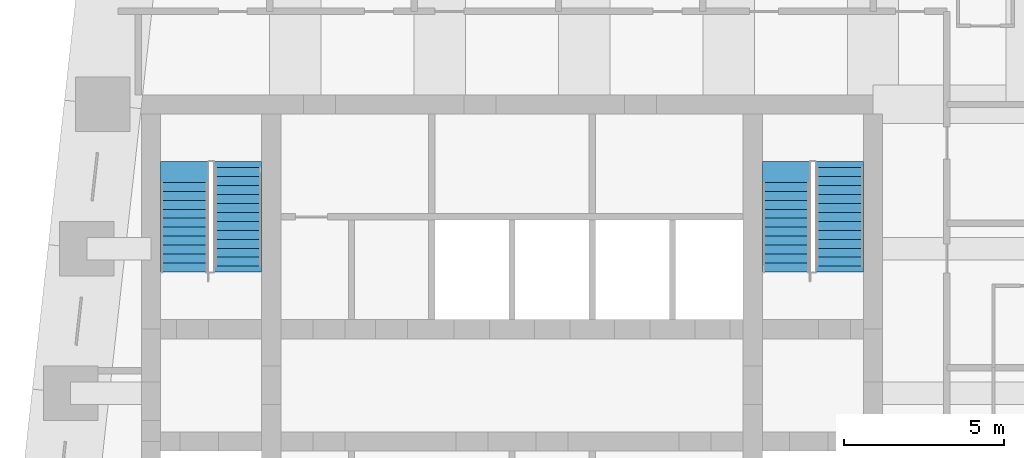
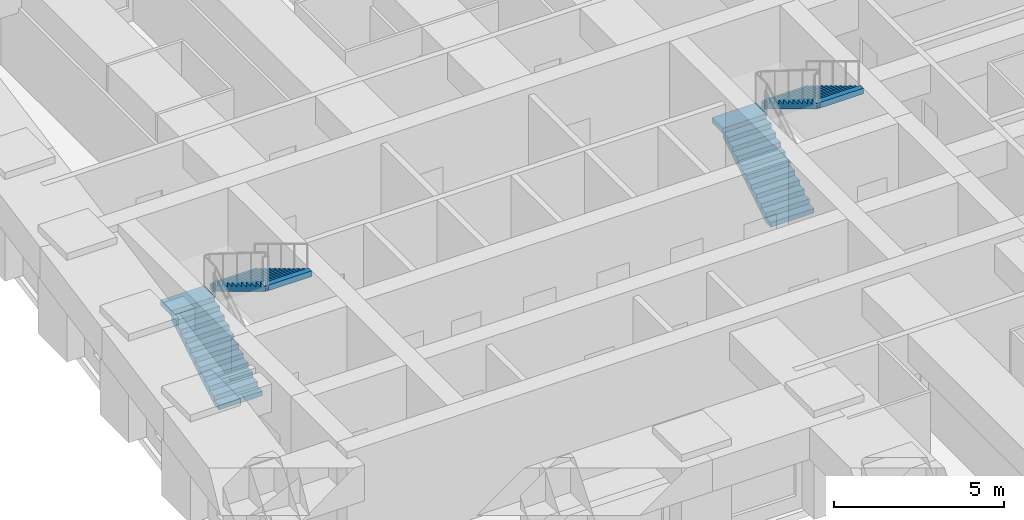
# One storey, part 6 of 7: 4 stair flights, 2 elements without a shape of their own.
"""IFC4 building model written with IfcOpenShell, lengths in metres."""

from ifc_helpers import new_model, si_unit, direction, frame, origin, place, context, subcontext, project, spatial, polyline, outline, extrude, material, type_object, element, aggregate, save


model = new_model("IFC4")

# Units and contexts
model_context = context("Model", 3, precision=1e-05, world=origin(), true_north=direction((0.0, 1.0)))
body_context = subcontext(model_context, "Body", "Model", "MODEL_VIEW")
ifc_project = project(units=[si_unit("LENGTHUNIT", "METRE"), si_unit("AREAUNIT", "SQUARE_METRE"), si_unit("VOLUMEUNIT", "CUBIC_METRE"), si_unit("PLANEANGLEUNIT", "RADIAN"), si_unit("MASSUNIT", "GRAM", prefix="KILO")], contexts=[model_context])

# Site, building, storey
site_placement = place(None, origin())
site = spatial("IfcSite", under=ifc_project, at=site_placement, CompositionType="ELEMENT")
building_placement = place(site_placement, origin())
building = spatial("IfcBuilding", under=site, at=building_placement, Name="Kilele Tower Hotel", CompositionType="ELEMENT")
storey_placement = place(building_placement, frame((0.0, 0.0, 221.300048828125)))
storey = spatial("IfcBuildingStorey", under=building, at=storey_placement, Name="L57", CompositionType="ELEMENT", Elevation=221.300048828125)

# Stair, stair flights
ifc_material_1 = material(Name="Precast concrete C40/50", Category="concrete")
stair_type = type_object("IfcStairType", Name="Stair 1475 x 3900", PredefinedType="HALF_TURN_STAIR", material=ifc_material_1)
stair_1_placement = place(storey_placement, origin())
stair_1 = element("IfcStair", 1, at=stair_1_placement, inside=storey, type_object=stair_type, Name="Stair 1 L57", PredefinedType="HALF_TURN_STAIR")
ifc_material_2 = material(Name="Precast concrete C40/50", Category="concrete")
stair_flight_type = type_object("IfcStairFlightType", Name="Flight 1475 riser 169.6", PredefinedType="STRAIGHT", material=ifc_material_2)
stair_flight_1_placement = place(storey_placement, frame((14.53759765625, 21.77490234375, 0.0), z_axis=(0.0, 0.0, 1.0), x_axis=(0.0, 1.0, 0.0)))
stair_flight_1 = element("IfcStairFlight", 2, at=stair_flight_1_placement, type_object=stair_flight_type, Name="ST1 flight 1", NumberOfRisers=11, NumberOfTreads=10, PredefinedType="STRAIGHT", RiserHeight=0.169565217, TreadLength=0.28, context=body_context, shape_type="SweptSolid", body=[
    extrude(outline(polyline([(0.0, 0.0), (0.0, 0.169677734375), (0.280029296875, 0.169677734375), (0.280029296875, 0.339111328125), (0.56005859375, 0.339111328125), (0.56005859375, 0.5087890625), (0.840087890625, 0.5087890625), (0.840087890625, 0.67822265625), (1.1201171875, 0.67822265625), (1.1201171875, 0.847900390625), (1.39990234375, 0.847900390625), (1.39990234375, 1.017333984375), (1.679931640625, 1.017333984375), (1.679931640625, 1.18701171875), (1.9599609375, 1.18701171875), (1.9599609375, 1.3564453125), (2.239990234375, 1.3564453125), (2.239990234375, 1.526123046875), (2.52001953125, 1.526123046875), (2.52001953125, 1.695556640625), (2.800048828125, 1.695556640625), (2.800048828125, 1.865234375), (2.800048828125, 1.5205078125), (0.289306640625, 0.0), (0.0, 0.0)])), frame((0.0, 0.737548828125, 0.0), z_axis=(0.0, -1.0, 0.0), x_axis=(1.0, 0.0, 0.0)), (0.0, 0.0, 1.0), 1.47509765625),
    extrude(outline(polyline([(2.800048828125, 0.737548828125), (2.800048828125, -0.7373046875), (3.4501953125, -0.7373046875), (3.4501953125, 0.737548828125), (2.800048828125, 0.737548828125)])), frame((0.0, 0.0, 1.6650390625)), (0.0, 0.0, 1.0), 0.199951171875),
])
stair_flight_2_placement = place(storey_placement, frame((16.21240234375, 25.0400390625, 1.865234375), z_axis=(0.0, 0.0, 1.0), x_axis=(0.0, -1.0, 0.0)))
stair_flight_2 = element("IfcStairFlight", 3, at=stair_flight_2_placement, type_object=stair_flight_type, Name="ST1 flight 2", NumberOfRisers=12, NumberOfTreads=11, PredefinedType="STRAIGHT", RiserHeight=0.169565217, TreadLength=0.28, context=body_context, shape_type="SweptSolid", body=[
    extrude(outline(polyline([(0.0, 0.0), (0.0, 0.169677734375), (0.280029296875, 0.169677734375), (0.280029296875, 0.339111328125), (0.56005859375, 0.339111328125), (0.56005859375, 0.5087890625), (0.840087890625, 0.5087890625), (0.840087890625, 0.67822265625), (1.1201171875, 0.67822265625), (1.1201171875, 0.847900390625), (1.39990234375, 0.847900390625), (1.39990234375, 1.017333984375), (1.679931640625, 1.017333984375), (1.679931640625, 1.18701171875), (1.9599609375, 1.18701171875), (1.9599609375, 1.3564453125), (2.239990234375, 1.3564453125), (2.239990234375, 1.526123046875), (2.52001953125, 1.526123046875), (2.52001953125, 1.695556640625), (2.800048828125, 1.695556640625), (2.800048828125, 1.865234375), (3.080078125, 1.865234375), (3.080078125, 2.03466796875), (3.080078125, 1.68994140625), (0.289306640625, 0.0), (0.0, 0.0)])), frame((0.0, 0.737548828125, 0.0), z_axis=(0.0, -1.0, 0.0), x_axis=(1.0, 0.0, 0.0)), (0.0, 0.0, 1.0), 1.47509765625),
    extrude(outline(polyline([(0.0, -0.7373046875), (0.0, 0.737548828125), (-0.18505859375, 0.737548828125), (-0.18505859375, -0.7373046875), (0.0, -0.7373046875)])), frame((0.0, 0.0, -0.2001953125)), (0.0, 0.0, 1.0), 0.199951171875),
    extrude(outline(polyline([(3.26513671875, -0.7373046875), (3.26513671875, 0.737548828125), (3.080078125, 0.737548828125), (3.080078125, -0.7373046875), (3.26513671875, -0.7373046875)])), frame((0.0, 0.0, 1.834716796875)), (0.0, 0.0, 1.0), 0.199951171875),
])
aggregate(stair_1, [stair_flight_1, stair_flight_2])

stair_2_placement = place(storey_placement, origin())
stair_2 = element("IfcStair", 4, at=stair_2_placement, inside=storey, type_object=stair_type, Name="Stair 2 L57", PredefinedType="HALF_TURN_STAIR")
stair_flight_3_placement = place(storey_placement, frame((33.28759765625, 21.77490234375, 0.0), z_axis=(0.0, 0.0, 1.0), x_axis=(0.0, 1.0, 0.0)))
stair_flight_3 = element("IfcStairFlight", 5, at=stair_flight_3_placement, type_object=stair_flight_type, Name="ST2 flight 1", NumberOfRisers=11, NumberOfTreads=10, PredefinedType="STRAIGHT", RiserHeight=0.169565217, TreadLength=0.28, context=body_context, shape_type="SweptSolid", body=[
    extrude(outline(polyline([(0.0, 0.0), (0.0, 0.169677734375), (0.280029296875, 0.169677734375), (0.280029296875, 0.339111328125), (0.56005859375, 0.339111328125), (0.56005859375, 0.5087890625), (0.840087890625, 0.5087890625), (0.840087890625, 0.67822265625), (1.1201171875, 0.67822265625), (1.1201171875, 0.847900390625), (1.39990234375, 0.847900390625), (1.39990234375, 1.017333984375), (1.679931640625, 1.017333984375), (1.679931640625, 1.18701171875), (1.9599609375, 1.18701171875), (1.9599609375, 1.3564453125), (2.239990234375, 1.3564453125), (2.239990234375, 1.526123046875), (2.52001953125, 1.526123046875), (2.52001953125, 1.695556640625), (2.800048828125, 1.695556640625), (2.800048828125, 1.865234375), (2.800048828125, 1.5205078125), (0.289306640625, 0.0), (0.0, 0.0)])), frame((0.0, 0.737548828125, 0.0), z_axis=(0.0, -1.0, 0.0), x_axis=(1.0, 0.0, 0.0)), (0.0, 0.0, 1.0), 1.47509765625),
    extrude(outline(polyline([(2.800048828125, 0.737548828125), (2.800048828125, -0.7373046875), (3.4501953125, -0.7373046875), (3.4501953125, 0.737548828125), (2.800048828125, 0.737548828125)])), frame((0.0, 0.0, 1.6650390625)), (0.0, 0.0, 1.0), 0.199951171875),
])
stair_flight_4_placement = place(storey_placement, frame((34.96240234375, 25.0400390625, 1.865234375), z_axis=(0.0, 0.0, 1.0), x_axis=(0.0, -1.0, 0.0)))
stair_flight_4 = element("IfcStairFlight", 6, at=stair_flight_4_placement, type_object=stair_flight_type, Name="ST2 flight 2", NumberOfRisers=12, NumberOfTreads=11, PredefinedType="STRAIGHT", RiserHeight=0.169565217, TreadLength=0.28, context=body_context, shape_type="SweptSolid", body=[
    extrude(outline(polyline([(0.0, 0.0), (0.0, 0.169677734375), (0.280029296875, 0.169677734375), (0.280029296875, 0.339111328125), (0.56005859375, 0.339111328125), (0.56005859375, 0.5087890625), (0.840087890625, 0.5087890625), (0.840087890625, 0.67822265625), (1.1201171875, 0.67822265625), (1.1201171875, 0.847900390625), (1.39990234375, 0.847900390625), (1.39990234375, 1.017333984375), (1.679931640625, 1.017333984375), (1.679931640625, 1.18701171875), (1.9599609375, 1.18701171875), (1.9599609375, 1.3564453125), (2.239990234375, 1.3564453125), (2.239990234375, 1.526123046875), (2.52001953125, 1.526123046875), (2.52001953125, 1.695556640625), (2.800048828125, 1.695556640625), (2.800048828125, 1.865234375), (3.080078125, 1.865234375), (3.080078125, 2.03466796875), (3.080078125, 1.68994140625), (0.289306640625, 0.0), (0.0, 0.0)])), frame((0.0, 0.737548828125, 0.0), z_axis=(0.0, -1.0, 0.0), x_axis=(1.0, 0.0, 0.0)), (0.0, 0.0, 1.0), 1.47509765625),
    extrude(outline(polyline([(0.0, -0.7373046875), (0.0, 0.737548828125), (-0.18505859375, 0.737548828125), (-0.18505859375, -0.7373046875), (0.0, -0.7373046875)])), frame((0.0, 0.0, -0.2001953125)), (0.0, 0.0, 1.0), 0.199951171875),
    extrude(outline(polyline([(3.26513671875, -0.7373046875), (3.26513671875, 0.737548828125), (3.080078125, 0.737548828125), (3.080078125, -0.7373046875), (3.26513671875, -0.7373046875)])), frame((0.0, 0.0, 1.834716796875)), (0.0, 0.0, 1.0), 0.199951171875),
])
aggregate(stair_2, [stair_flight_3, stair_flight_4])

save(model, "model.ifc")
